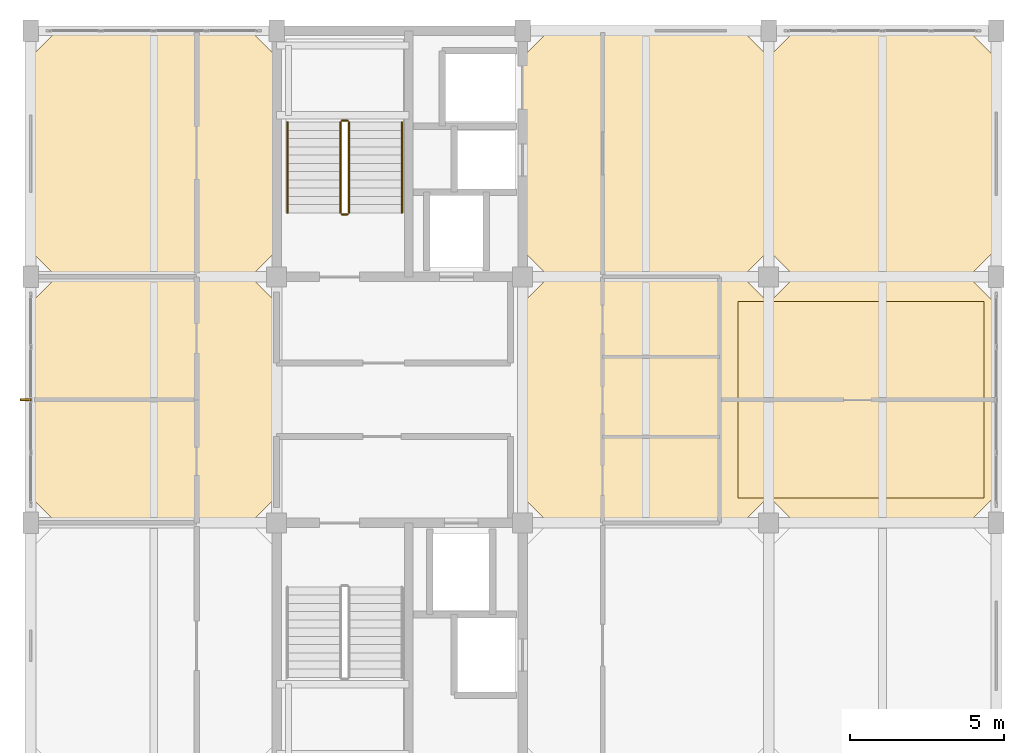
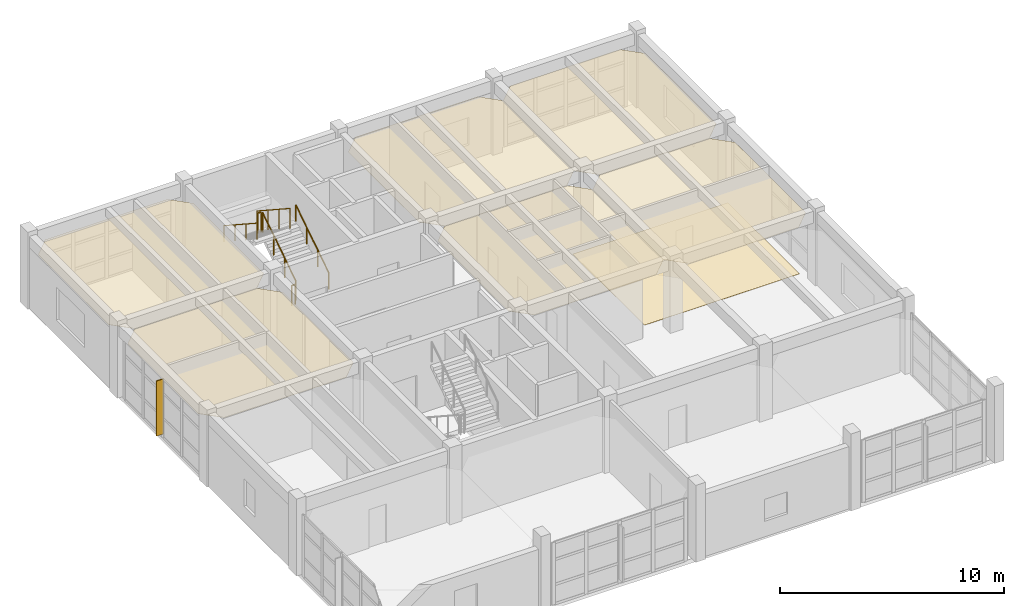
# One storey, part 18 of 18: 7 coverings, 6 railings, 1 shading device.
"""IFC4 building model written with IfcOpenShell, lengths in metres."""

from ifc_helpers import new_model, si_unit, direction, frame, origin, origin_2d, place, context, subcontext, project, spatial, polyline, rectangle, circle, outline, extrude, material, layer, layer_set, type_object, element, save


model = new_model("IFC4")

# Units and contexts
model_context = context("Model", 3, precision=1e-05, world=origin(), true_north=direction((0.0, 1.0)))
body_context = subcontext(model_context, "Body", "Model", "MODEL_VIEW")
ifc_project = project(units=[si_unit("LENGTHUNIT", "METRE"), si_unit("AREAUNIT", "SQUARE_METRE"), si_unit("VOLUMEUNIT", "CUBIC_METRE"), si_unit("PLANEANGLEUNIT", "RADIAN"), si_unit("MASSUNIT", "GRAM", prefix="KILO")], contexts=[model_context])

# Site, building, storey
site_placement = place(None, origin())
site = spatial("IfcSite", under=ifc_project, at=site_placement, CompositionType="ELEMENT")
building_placement = place(site_placement, origin())
building = spatial("IfcBuilding", under=site, at=building_placement, Name="Canggui Botanical Conservatory", CompositionType="ELEMENT")
storey_placement = place(building_placement, frame((0.0, 0.0, 52.800048828125)))
storey = spatial("IfcBuildingStorey", under=building, at=storey_placement, Name="L13", CompositionType="ELEMENT", Elevation=52.800048828125)

# Coverings
ifc_material_1 = material(Name="Mineral Fibre Acoustic Board")
ifc_layer_1 = layer(ifc_material_1, 0.014892578125, Name="Mineral Fibre Acoustic Board")
ifc_layer_set_1 = layer_set([ifc_layer_1], Name="Mineral Fibre Acoustic Board")
covering_type_1 = type_object("IfcCoveringType", Name="COV-CEIL-15", PredefinedType="CEILING", material=ifc_layer_set_1)
covering_1_placement = place(storey_placement, frame((0.0, 0.0, 3.195068359375)))
element("IfcCovering", 1, at=covering_1_placement, inside=storey, type_object=covering_type_1, Name="Suspended Acoustic Ceiling L13-146-58", PredefinedType="CEILING", context=body_context, shape_type="SweptSolid", body=[
    extrude(outline(polyline([(146.85009765625, 58.0), (153.14990234375, 58.0), (154.0, 58.85009765625), (154.0, 65.14990234375), (153.14990234375, 66.0), (146.85009765625, 66.0), (146.0, 65.14990234375), (146.0, 58.85009765625), (146.85009765625, 58.0)])), origin(), (0.0, 0.0, 1.0), 0.014892578125),
])
covering_2_placement = place(storey_placement, frame((0.0, 0.0, 3.195068359375)))
element("IfcCovering", 2, at=covering_2_placement, inside=storey, type_object=covering_type_1, Name="Suspended Acoustic Ceiling L13-162-58", PredefinedType="CEILING", context=body_context, shape_type="SweptSolid", body=[
    extrude(outline(polyline([(162.85009765625, 58.0), (169.14990234375, 58.0), (170.0, 58.85009765625), (170.0, 65.14990234375), (169.14990234375, 66.0), (162.85009765625, 66.0), (162.0, 65.14990234375), (162.0, 58.85009765625), (162.85009765625, 58.0)])), origin(), (0.0, 0.0, 1.0), 0.014892578125),
])
covering_3_placement = place(storey_placement, frame((0.0, 0.0, 3.195068359375)))
element("IfcCovering", 3, at=covering_3_placement, inside=storey, type_object=covering_type_1, Name="Suspended Acoustic Ceiling L13-170-50", PredefinedType="CEILING", context=body_context, shape_type="SweptSolid", body=[
    extrude(outline(polyline([(170.85009765625, 50.0), (176.5, 50.0), (177.35009765625, 50.85009765625), (177.35009765625, 57.14990234375), (176.5, 58.0), (170.85009765625, 58.0), (170.0, 57.14990234375), (170.0, 50.85009765625), (170.85009765625, 50.0)])), origin(), (0.0, 0.0, 1.0), 0.014892578125),
])
ifc_material_2 = material(Name="Perforated Gypsum Acoustic Panel")
ifc_layer_2 = layer(ifc_material_2, 0.02001953125, Name="Perforated Gypsum Acoustic Panel")
ifc_layer_set_2 = layer_set([ifc_layer_2], Name="Perforated Gypsum Acoustic Panel")
covering_type_2 = type_object("IfcCoveringType", Name="COV-CEIL-20", PredefinedType="CEILING", material=ifc_layer_set_2)
covering_4_placement = place(storey_placement, frame((0.0, 0.0, 3.18994140625)))
element("IfcCovering", 4, at=covering_4_placement, inside=storey, type_object=covering_type_2, Name="Suspended Acoustic Ceiling L13-146-50", PredefinedType="CEILING", context=body_context, shape_type="SweptSolid", body=[
    extrude(outline(polyline([(146.85009765625, 50.0), (153.14990234375, 50.0), (154.0, 50.85009765625), (154.0, 57.14990234375), (153.14990234375, 58.0), (146.85009765625, 58.0), (146.0, 57.14990234375), (146.0, 50.85009765625), (146.85009765625, 50.0)])), origin(), (0.0, 0.0, 1.0), 0.02001953125),
])
covering_5_placement = place(storey_placement, frame((0.0, 0.0, 3.18994140625)))
element("IfcCovering", 5, at=covering_5_placement, inside=storey, type_object=covering_type_2, Name="Suspended Acoustic Ceiling L13-162-50", PredefinedType="CEILING", context=body_context, shape_type="SweptSolid", body=[
    extrude(outline(polyline([(162.85009765625, 50.0), (169.14990234375, 50.0), (170.0, 50.85009765625), (170.0, 57.14990234375), (169.14990234375, 58.0), (162.85009765625, 58.0), (162.0, 57.14990234375), (162.0, 50.85009765625), (162.85009765625, 50.0)])), origin(), (0.0, 0.0, 1.0), 0.02001953125),
])
covering_6_placement = place(storey_placement, frame((0.0, 0.0, 3.18994140625)))
element("IfcCovering", 6, at=covering_6_placement, inside=storey, type_object=covering_type_2, Name="Suspended Acoustic Ceiling L13-170-58", PredefinedType="CEILING", context=body_context, shape_type="SweptSolid", body=[
    extrude(outline(polyline([(170.85009765625, 58.0), (176.5, 58.0), (177.35009765625, 58.85009765625), (177.35009765625, 65.14990234375), (176.5, 66.0), (170.85009765625, 66.0), (170.0, 65.14990234375), (170.0, 58.85009765625), (170.85009765625, 58.0)])), origin(), (0.0, 0.0, 1.0), 0.02001953125),
])
ifc_material_3 = material(Name="Seamless Laboratory Epoxy Resin")
ifc_layer_3 = layer(ifc_material_3, 0.011962890625, Name="Seamless Laboratory Epoxy Resin")
ifc_layer_set_3 = layer_set([ifc_layer_3], Name="Seamless Laboratory Epoxy Resin")
covering_type_3 = type_object("IfcCoveringType", Name="COV-FLR-12", PredefinedType="FLOORING", material=ifc_layer_set_3)
covering_7_placement = place(storey_placement, origin())
element("IfcCovering", 7, at=covering_7_placement, inside=storey, type_object=covering_type_3, Name="Laboratory Finish Flooring L13", PredefinedType="FLOORING", context=body_context, shape_type="SweptSolid", body=[
    extrude(outline(polyline([(169.0, 50.800048828125), (177.0, 50.800048828125), (177.0, 57.199951171875), (169.0, 57.199951171875), (169.0, 50.800048828125)])), origin(), (0.0, 0.0, 1.0), 0.011962890625),
])

# Railings
ifc_material_4 = material(Name="Stainless Steel 304", Category="steel")
railing_type_1 = type_object("IfcRailingType", Name="RAIL-GUARD-1100", PredefinedType="BALUSTRADE", material=ifc_material_4)
railing_1_placement = place(storey_placement, frame((156.35009765625, 60.080078125, 0.175048828125)))
element("IfcRailing", 8, at=railing_1_placement, inside=storey, type_object=railing_type_1, Name="L13 ST-T2 stair guard 1", PredefinedType="BALUSTRADE", context=body_context, shape_type="SweptSolid", body=[
    extrude(circle(Radius=0.02392578125, at=origin_2d()), frame((0.0, 0.0, 1.076171875), z_axis=(0.0, 0.837324922549, 0.546705564338), x_axis=(-1.0, 0.0, 0.0)), (0.0, 0.0, 1.0), 3.520751953125),
    extrude(circle(Radius=0.02099609375, at=origin_2d()), origin(), (0.0, 0.0, 1.0), 1.052001953125),
    extrude(circle(Radius=0.02099609375, at=origin_2d()), frame((0.0, 0.982666015625, 0.6416015625)), (0.0, 0.0, 1.0), 1.052001953125),
    extrude(circle(Radius=0.02099609375, at=origin_2d()), frame((0.0, 1.96533203125, 1.283203125)), (0.0, 0.0, 1.0), 1.052001953125),
    extrude(circle(Radius=0.02099609375, at=origin_2d()), frame((0.0, 2.947998046875, 1.9248046875)), (0.0, 0.0, 1.0), 1.052001953125),
])
railing_2_placement = place(storey_placement, frame((156.300048828125, 63.077880859375, 2.099853515625)))
element("IfcRailing", 9, at=railing_2_placement, inside=storey, type_object=railing_type_1, Name="L13 ST-T2 stair guard 2", PredefinedType="BALUSTRADE", context=body_context, shape_type="SweptSolid", body=[
    extrude(circle(Radius=0.02392578125, at=origin_2d()), frame((0.0, 0.0, 1.076171875), z_axis=(-1.0, 0.0, 0.0), x_axis=(0.0, -1.0, 0.0)), (0.0, 0.0, 1.0), 0.179931640625),
    extrude(circle(Radius=0.02099609375, at=origin_2d()), origin(), (0.0, 0.0, 1.0), 1.052001953125),
    extrude(circle(Radius=0.02099609375, at=origin_2d()), frame((-0.179931640625, 0.0, 0.0)), (0.0, 0.0, 1.0), 1.052001953125),
])
railing_3_placement = place(storey_placement, frame((156.070068359375, 63.028076171875, 2.27490234375)))
element("IfcRailing", 10, at=railing_3_placement, inside=storey, type_object=railing_type_1, Name="L13 ST-T2 stair guard 3", PredefinedType="BALUSTRADE", context=body_context, shape_type="SweptSolid", body=[
    extrude(circle(Radius=0.02392578125, at=origin_2d()), frame((0.0, 0.0, 1.076171875), z_axis=(0.0, -0.837293178872, 0.54675417933), x_axis=(1.0, 0.0, 0.0)), (0.0, 0.0, 1.0), 3.520751953125),
    extrude(circle(Radius=0.02099609375, at=origin_2d()), origin(), (0.0, 0.0, 1.0), 1.052001953125),
    extrude(circle(Radius=0.02099609375, at=origin_2d()), frame((0.0, -0.982666015625, 0.6416015625)), (0.0, 0.0, 1.0), 1.052001953125),
    extrude(circle(Radius=0.02099609375, at=origin_2d()), frame((0.0, -1.96533203125, 1.283447265625)), (0.0, 0.0, 1.0), 1.052001953125),
    extrude(circle(Radius=0.02099609375, at=origin_2d()), frame((0.0, -2.947998046875, 1.925048828125)), (0.0, 0.0, 1.0), 1.052001953125),
])
railing_4_placement = place(storey_placement, frame((156.300048828125, 60.030029296875, 0.0)))
element("IfcRailing", 11, at=railing_4_placement, inside=storey, type_object=railing_type_1, Name="L13 ST-T2 stair guard 4", PredefinedType="BALUSTRADE", context=body_context, shape_type="SweptSolid", body=[
    extrude(circle(Radius=0.02392578125, at=origin_2d()), frame((0.0, 0.0, 1.076171875), z_axis=(-1.0, 0.0, 0.0), x_axis=(0.0, -1.0, 0.0)), (0.0, 0.0, 1.0), 0.179931640625),
    extrude(circle(Radius=0.02099609375, at=origin_2d()), origin(), (0.0, 0.0, 1.0), 1.052001953125),
    extrude(circle(Radius=0.02099609375, at=origin_2d()), frame((-0.179931640625, 0.0, 0.0)), (0.0, 0.0, 1.0), 1.052001953125),
])
railing_type_2 = type_object("IfcRailingType", Name="RAIL-HAND-900", PredefinedType="HANDRAIL", material=ifc_material_4)
railing_5_placement = place(storey_placement, frame((158.070068359375, 60.080078125, 0.175048828125)))
element("IfcRailing", 12, at=railing_5_placement, inside=storey, type_object=railing_type_2, Name="L13 ST-T2 stair handrail 1", PredefinedType="HANDRAIL", context=body_context, shape_type="SweptSolid", body=[
    extrude(circle(Radius=0.02392578125, at=origin_2d()), frame((0.0, 0.0, 0.8759765625), z_axis=(0.0, 0.837324922549, 0.546705564338), x_axis=(-1.0, 0.0, 0.0)), (0.0, 0.0, 1.0), 3.520751953125),
    extrude(circle(Radius=0.02099609375, at=origin_2d()), origin(), (0.0, 0.0, 1.0), 0.851806640625),
    extrude(circle(Radius=0.02099609375, at=origin_2d()), frame((0.0, 0.982666015625, 0.6416015625)), (0.0, 0.0, 1.0), 0.851806640625),
    extrude(circle(Radius=0.02099609375, at=origin_2d()), frame((0.0, 1.96533203125, 1.283203125)), (0.0, 0.0, 1.0), 0.851806640625),
    extrude(circle(Radius=0.02099609375, at=origin_2d()), frame((0.0, 2.947998046875, 1.9248046875)), (0.0, 0.0, 1.0), 0.851806640625),
])
railing_6_placement = place(storey_placement, frame((154.35009765625, 63.028076171875, 2.27490234375)))
element("IfcRailing", 13, at=railing_6_placement, inside=storey, type_object=railing_type_2, Name="L13 ST-T2 stair handrail 2", PredefinedType="HANDRAIL", context=body_context, shape_type="SweptSolid", body=[
    extrude(circle(Radius=0.02392578125, at=origin_2d()), frame((0.0, 0.0, 0.8759765625), z_axis=(0.0, -0.837293178872, 0.54675417933), x_axis=(1.0, 0.0, 0.0)), (0.0, 0.0, 1.0), 3.520751953125),
    extrude(circle(Radius=0.02099609375, at=origin_2d()), origin(), (0.0, 0.0, 1.0), 0.851806640625),
    extrude(circle(Radius=0.02099609375, at=origin_2d()), frame((0.0, -0.982666015625, 0.6416015625)), (0.0, 0.0, 1.0), 0.851806640625),
    extrude(circle(Radius=0.02099609375, at=origin_2d()), frame((0.0, -1.96533203125, 1.283447265625)), (0.0, 0.0, 1.0), 0.851806640625),
    extrude(circle(Radius=0.02099609375, at=origin_2d()), frame((0.0, -2.947998046875, 1.925048828125)), (0.0, 0.0, 1.0), 0.851806640625),
])

# Shading device
ifc_material_5 = material(Name="Anodised Aluminium", Category="aluminium")
shading_device_type = type_object("IfcShadingDeviceType", Name="SHD-FIN02", PredefinedType="AWNING", material=ifc_material_5)
shading_device_placement = place(storey_placement, frame((145.8349609375, 54.0, 0.199951171875), z_axis=(0.0, 0.0, 1.0), x_axis=(0.0, 1.0, 0.0)))
element("IfcShadingDevice", 14, at=shading_device_placement, inside=storey, type_object=shading_device_type, Name="Solar Shading Fin CW-TWR-L13-07", PredefinedType="AWNING", context=body_context, shape_type="SweptSolid", body=[
    extrude(rectangle(XDim=0.06005859375, YDim=0.360107421875, at=origin_2d()), origin(), (0.0, 0.0, 1.0), 3.0),
])

save(model, "model.ifc")
